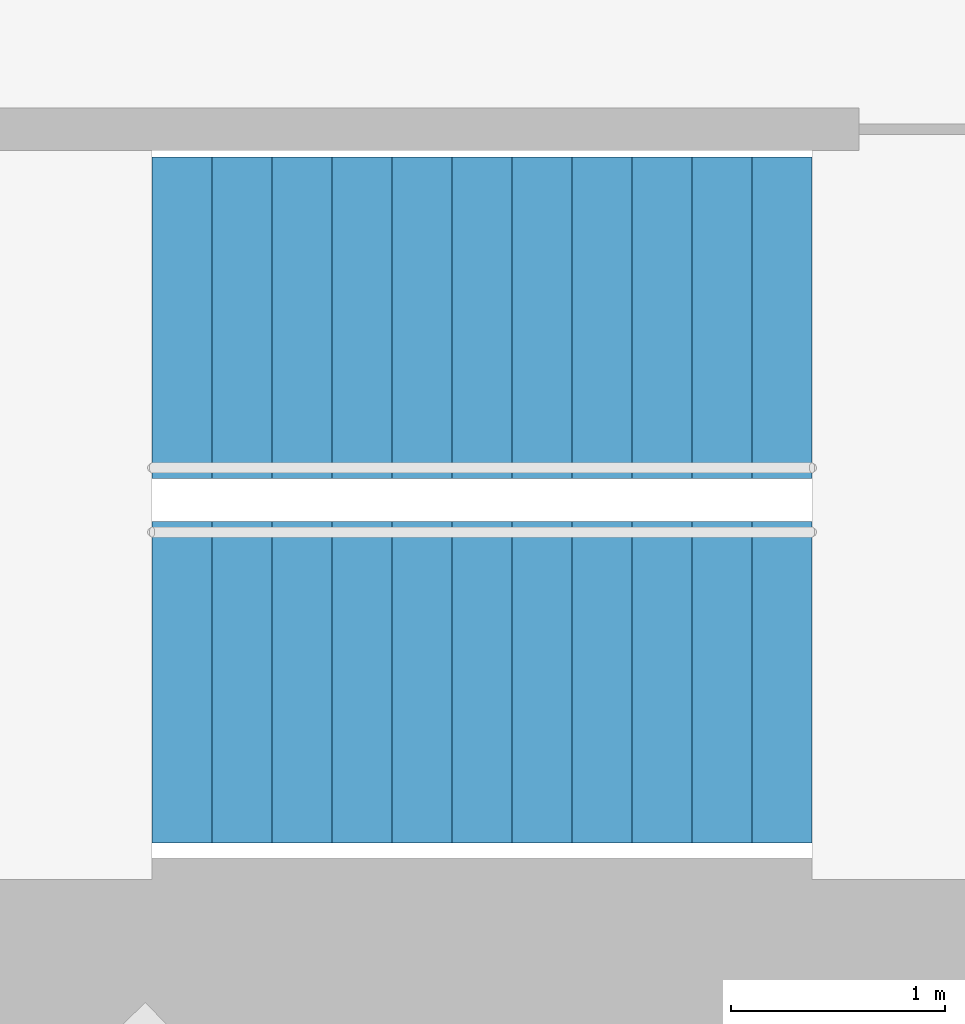
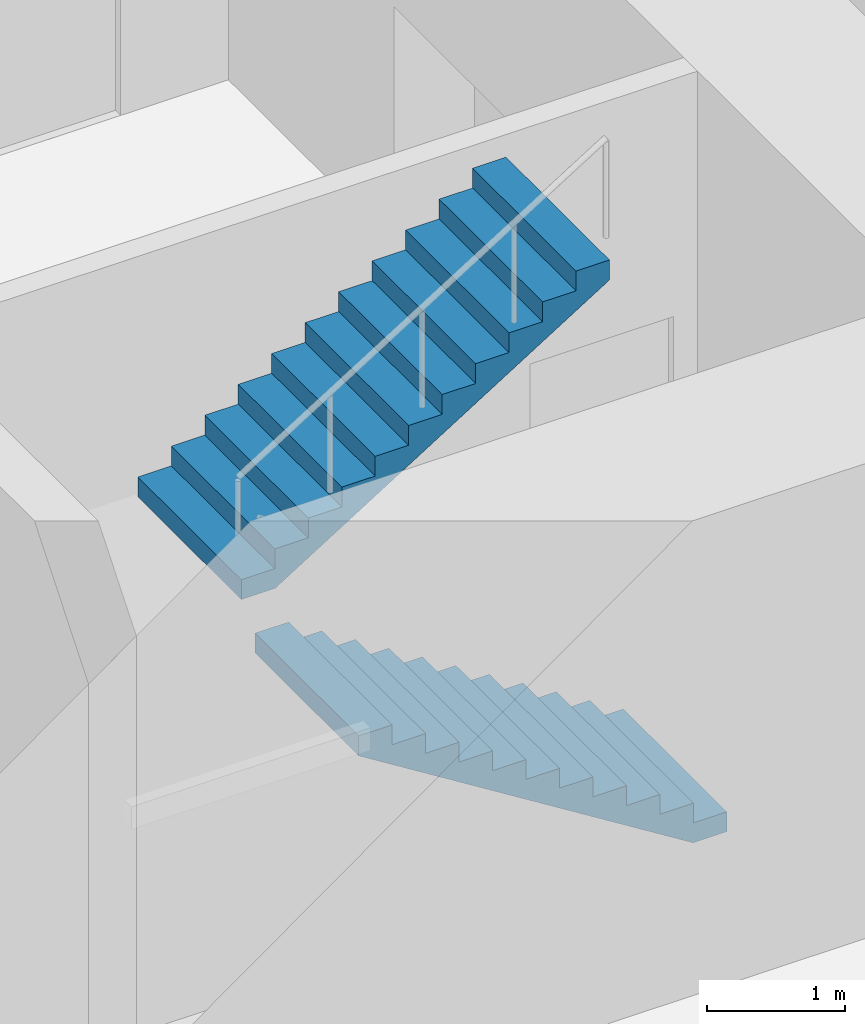
# One storey, part 16 of 17: 2 stair flights, 1 element without a shape of its own.
"""IFC4 building model written with IfcOpenShell, lengths in metres."""

from ifc_helpers import new_model, si_unit, direction, frame, origin, place, context, subcontext, project, spatial, triangles, material, type_object, element, aggregate, save


model = new_model("IFC4")

# Units and contexts
model_context = context("Model", 3, precision=1e-05, world=origin(), true_north=direction((0.0, 1.0)))
body_context = subcontext(model_context, "Body", "Model", "MODEL_VIEW")
ifc_project = project(units=[si_unit("LENGTHUNIT", "METRE"), si_unit("AREAUNIT", "SQUARE_METRE"), si_unit("VOLUMEUNIT", "CUBIC_METRE"), si_unit("PLANEANGLEUNIT", "RADIAN"), si_unit("MASSUNIT", "GRAM", prefix="KILO")], contexts=[model_context])

# Site, building, storey
site_placement = place(None, origin())
site = spatial("IfcSite", under=ifc_project, at=site_placement, CompositionType="ELEMENT")
building_placement = place(site_placement, origin())
building = spatial("IfcBuilding", under=site, at=building_placement, Name="Lantaw Convention Tower", CompositionType="ELEMENT")
storey_placement = place(building_placement, frame((0.0, 0.0, 163.60009765625)))
storey = spatial("IfcBuildingStorey", under=building, at=storey_placement, Name="L38", CompositionType="ELEMENT", Elevation=163.60009765625)

# Stair, stair flights
ifc_material = material(Name="Concrete C35/45", Category="concrete")
stair_type = type_object("IfcStairType", Name="Exit stair 1500 riser 175 in 2 flights", PredefinedType="HALF_TURN_STAIR", material=ifc_material)
stair_placement = place(storey_placement, origin())
stair = element("IfcStair", 1, at=stair_placement, inside=storey, type_object=stair_type, Name="Exit stair S2 L38", PredefinedType="HALF_TURN_STAIR")
stair_flight_type = type_object("IfcStairFlightType", Name="Stair flight 1500 riser 175", PredefinedType="STRAIGHT", material=ifc_material)
stair_flight_1_placement = place(storey_placement, frame((10.580078125, -5.97998046875, 0.0), z_axis=(0.0, 0.0, 1.0), x_axis=(-1.0, 0.0, 0.0)))
stair_flight_1 = element("IfcStairFlight", 2, at=stair_flight_1_placement, type_object=stair_flight_type, Name="S2 flight 1", NumberOfRisers=12, NumberOfTreads=11, PredefinedType="STRAIGHT", RiserHeight=0.175, TreadLength=0.28, context=body_context, shape_type="Tessellation", body=[
    triangles([(0.0, 0.75, 0.0), (0.0, 0.75, 0.175), (0.28, 0.75, 0.0), (0.28, 0.75, 0.175), (0.28, 0.75, 0.35), (0.28283517651771284, 0.75, 0.0), (0.28283517651771284, 0.75, 0.35), (0.56, 0.75, 0.17322801467642948), (0.56, 0.75, 0.35), (0.56, 0.75, 0.5249999999999999), (0.8400000000000001, 0.75, 0.34822801467642944), (0.8400000000000001, 0.75, 0.5249999999999999), (0.8400000000000001, 0.75, 0.7), (1.12, 0.75, 0.5232280146764294), (1.12, 0.75, 0.7), (1.12, 0.75, 0.875), (1.4000000000000001, 0.75, 0.6982280146764295), (1.4000000000000001, 0.75, 0.875), (1.4000000000000001, 0.75, 1.0499999999999998), (1.6800000000000002, 0.75, 0.8732280146764294), (1.6800000000000002, 0.75, 1.0499999999999998), (1.6800000000000002, 0.75, 1.2249999999999999), (1.9600000000000002, 0.75, 1.0482280146764293), (1.9600000000000002, 0.75, 1.2249999999999999), (1.9600000000000002, 0.75, 1.4), (2.24, 0.75, 1.2232280146764294), (2.24, 0.75, 1.4), (2.24, 0.75, 1.575), (2.5200000000000005, 0.75, 1.3982280146764294), (2.5200000000000005, 0.75, 1.575), (2.5200000000000005, 0.75, 1.75), (2.8000000000000003, 0.75, 1.5732280146764293), (2.8000000000000003, 0.75, 1.75), (2.8000000000000003, 0.75, 1.9249999999999998), (3.08, 0.75, 1.7482280146764293), (3.08, 0.75, 1.9249999999999998), (0.0, -0.75, 0.0), (0.0, -0.75, 0.175), (0.28, -0.75, 0.0), (0.28, -0.75, 0.175), (0.28, -0.75, 0.35), (0.28283517651771284, -0.75, 0.0), (0.28283517651771284, -0.75, 0.35), (0.56, -0.75, 0.17322801467642948), (0.56, -0.75, 0.35), (0.56, -0.75, 0.5249999999999999), (0.8400000000000001, -0.75, 0.34822801467642944), (0.8400000000000001, -0.75, 0.5249999999999999), (0.8400000000000001, -0.75, 0.7), (1.12, -0.75, 0.5232280146764294), (1.12, -0.75, 0.7), (1.12, -0.75, 0.875), (1.4000000000000001, -0.75, 0.6982280146764295), (1.4000000000000001, -0.75, 0.875), (1.4000000000000001, -0.75, 1.0499999999999998), (1.6800000000000002, -0.75, 0.8732280146764294), (1.6800000000000002, -0.75, 1.0499999999999998), (1.6800000000000002, -0.75, 1.2249999999999999), (1.9600000000000002, -0.75, 1.0482280146764293), (1.9600000000000002, -0.75, 1.2249999999999999), (1.9600000000000002, -0.75, 1.4), (2.24, -0.75, 1.2232280146764294), (2.24, -0.75, 1.4), (2.24, -0.75, 1.575), (2.5200000000000005, -0.75, 1.3982280146764294), (2.5200000000000005, -0.75, 1.575), (2.5200000000000005, -0.75, 1.75), (2.8000000000000003, -0.75, 1.5732280146764293), (2.8000000000000003, -0.75, 1.75), (2.8000000000000003, -0.75, 1.9249999999999998), (3.08, -0.75, 1.7482280146764293), (3.08, -0.75, 1.9249999999999998), (0.0, 0.15000000000000002, 0.175), (0.0, 0.15000000000000002, 0.0), (0.0, 0.0, 0.175), (0.0, 0.0, 0.0), (0.0, -0.15000000000000002, 0.175), (0.0, -0.15000000000000002, 0.0), (0.28, 0.15000000000000002, 0.35), (0.28, 0.15000000000000002, 0.175), (0.28, 0.0, 0.35), (0.28, 0.0, 0.175), (0.28, -0.15000000000000002, 0.35), (0.28, -0.15000000000000002, 0.175), (0.56, 0.15000000000000002, 0.5249999999999999), (0.56, 0.15000000000000002, 0.35), (0.56, 0.0, 0.5249999999999999), (0.56, 0.0, 0.35), (0.56, -0.15000000000000002, 0.5249999999999999), (0.56, -0.15000000000000002, 0.35), (0.8400000000000001, 0.15000000000000002, 0.7), (0.8400000000000001, 0.15000000000000002, 0.5249999999999999), (0.8400000000000001, 0.0, 0.7), (0.8400000000000001, 0.0, 0.5249999999999999), (0.8400000000000001, -0.15000000000000002, 0.7), (0.8400000000000001, -0.15000000000000002, 0.5249999999999999), (1.12, 0.15000000000000002, 0.875), (1.12, 0.15000000000000002, 0.7), (1.12, 0.0, 0.875), (1.12, 0.0, 0.7), (1.12, -0.15000000000000002, 0.875), (1.12, -0.15000000000000002, 0.7), (1.4000000000000001, 0.15000000000000002, 1.0499999999999998), (1.4000000000000001, 0.15000000000000002, 0.875), (1.4000000000000001, 0.0, 1.0499999999999998), (1.4000000000000001, 0.0, 0.875), (1.4000000000000001, -0.15000000000000002, 1.0499999999999998), (1.4000000000000001, -0.15000000000000002, 0.875), (1.6800000000000002, 0.15000000000000002, 1.2249999999999999), (1.6800000000000002, 0.15000000000000002, 1.0499999999999998), (1.6800000000000002, 0.0, 1.2249999999999999), (1.6800000000000002, 0.0, 1.0499999999999998), (1.6800000000000002, -0.15000000000000002, 1.2249999999999999), (1.6800000000000002, -0.15000000000000002, 1.0499999999999998), (1.9600000000000002, 0.15000000000000002, 1.4), (1.9600000000000002, 0.15000000000000002, 1.2249999999999999), (1.9600000000000002, 0.0, 1.4), (1.9600000000000002, 0.0, 1.2249999999999999), (1.9600000000000002, -0.15000000000000002, 1.4), (1.9600000000000002, -0.15000000000000002, 1.2249999999999999), (2.24, 0.15000000000000002, 1.575), (2.24, 0.15000000000000002, 1.4), (2.24, 0.0, 1.575), (2.24, 0.0, 1.4), (2.24, -0.15000000000000002, 1.575), (2.24, -0.15000000000000002, 1.4), (2.5200000000000005, 0.15000000000000002, 1.75), (2.5200000000000005, 0.15000000000000002, 1.575), (2.5200000000000005, 0.0, 1.75), (2.5200000000000005, 0.0, 1.575), (2.5200000000000005, -0.15000000000000002, 1.75), (2.5200000000000005, -0.15000000000000002, 1.575), (2.8000000000000003, 0.15000000000000002, 1.9249999999999998), (2.8000000000000003, 0.15000000000000002, 1.75), (2.8000000000000003, 0.0, 1.9249999999999998), (2.8000000000000003, 0.0, 1.75), (2.8000000000000003, -0.15000000000000002, 1.9249999999999998), (2.8000000000000003, -0.15000000000000002, 1.75), (0.28283517651771284, 0.15000000000000002, 0.35), (0.28283517651771284, 0.0, 0.35), (0.28283517651771284, -0.15000000000000002, 0.35), (3.08, 0.15000000000000002, 1.9249999999999998), (3.08, 0.0, 1.9249999999999998), (3.08, -0.15000000000000002, 1.9249999999999998), (3.08, 0.15000000000000002, 1.7482280146764293), (3.08, 0.0, 1.7482280146764293), (3.08, -0.15000000000000002, 1.7482280146764293), (2.8000000000000003, 0.15000000000000002, 1.5732280146764293), (2.8000000000000003, 0.0, 1.5732280146764293), (2.8000000000000003, -0.15000000000000002, 1.5732280146764293), (2.5200000000000005, 0.15000000000000002, 1.3982280146764294), (2.5200000000000005, 0.0, 1.3982280146764294), (2.5200000000000005, -0.15000000000000002, 1.3982280146764294), (2.24, 0.15000000000000002, 1.2232280146764294), (2.24, 0.0, 1.2232280146764294), (2.24, -0.15000000000000002, 1.2232280146764294), (1.9600000000000002, 0.15000000000000002, 1.0482280146764293), (1.9600000000000002, 0.0, 1.0482280146764293), (1.9600000000000002, -0.15000000000000002, 1.0482280146764293), (1.6800000000000002, 0.15000000000000002, 0.8732280146764294), (1.6800000000000002, 0.0, 0.8732280146764294), (1.6800000000000002, -0.15000000000000002, 0.8732280146764294), (1.4000000000000001, 0.15000000000000002, 0.6982280146764295), (1.4000000000000001, 0.0, 0.6982280146764295), (1.4000000000000001, -0.15000000000000002, 0.6982280146764295), (1.12, 0.15000000000000002, 0.5232280146764294), (1.12, 0.0, 0.5232280146764294), (1.12, -0.15000000000000002, 0.5232280146764294), (0.8400000000000001, 0.15000000000000002, 0.34822801467642944), (0.8400000000000001, 0.0, 0.34822801467642944), (0.8400000000000001, -0.15000000000000002, 0.34822801467642944), (0.56, 0.15000000000000002, 0.17322801467642948), (0.56, 0.0, 0.17322801467642948), (0.56, -0.15000000000000002, 0.17322801467642948), (0.28283517651771284, 0.15000000000000002, 0.0), (0.28283517651771284, 0.0, 0.0), (0.28283517651771284, -0.15000000000000002, 0.0), (0.28, 0.15000000000000002, 0.0), (0.28, 0.0, 0.0), (0.28, -0.15000000000000002, 0.0)], [[1, 4, 3], [1, 2, 4], [3, 4, 6], [4, 7, 6], [4, 5, 7], [6, 9, 8], [6, 7, 9], [8, 9, 11], [9, 12, 11], [9, 10, 12], [11, 12, 14], [12, 15, 14], [12, 13, 15], [14, 15, 17], [15, 18, 17], [15, 16, 18], [17, 18, 20], [18, 21, 20], [18, 19, 21], [20, 21, 23], [21, 24, 23], [21, 22, 24], [23, 24, 26], [24, 27, 26], [24, 25, 27], [26, 27, 29], [27, 30, 29], [27, 28, 30], [29, 30, 32], [30, 33, 32], [30, 31, 33], [32, 33, 35], [33, 36, 35], [33, 34, 36], [37, 39, 40], [37, 40, 38], [39, 42, 40], [40, 42, 43], [40, 43, 41], [42, 44, 45], [42, 45, 43], [44, 47, 45], [45, 47, 48], [45, 48, 46], [47, 50, 48], [48, 50, 51], [48, 51, 49], [50, 53, 51], [51, 53, 54], [51, 54, 52], [53, 56, 54], [54, 56, 57], [54, 57, 55], [56, 59, 57], [57, 59, 60], [57, 60, 58], [59, 62, 60], [60, 62, 63], [60, 63, 61], [62, 65, 63], [63, 65, 66], [63, 66, 64], [65, 68, 66], [66, 68, 69], [66, 69, 67], [68, 71, 69], [69, 71, 72], [69, 72, 70], [1, 73, 2], [1, 74, 73], [74, 75, 73], [74, 76, 75], [76, 77, 75], [76, 78, 77], [78, 38, 77], [78, 37, 38], [4, 79, 5], [4, 80, 79], [80, 81, 79], [80, 82, 81], [82, 83, 81], [82, 84, 83], [84, 41, 83], [84, 40, 41], [9, 85, 10], [9, 86, 85], [86, 87, 85], [86, 88, 87], [88, 89, 87], [88, 90, 89], [90, 46, 89], [90, 45, 46], [12, 91, 13], [12, 92, 91], [92, 93, 91], [92, 94, 93], [94, 95, 93], [94, 96, 95], [96, 49, 95], [96, 48, 49], [15, 97, 16], [15, 98, 97], [98, 99, 97], [98, 100, 99], [100, 101, 99], [100, 102, 101], [102, 52, 101], [102, 51, 52], [18, 103, 19], [18, 104, 103], [104, 105, 103], [104, 106, 105], [106, 107, 105], [106, 108, 107], [108, 55, 107], [108, 54, 55], [21, 109, 22], [21, 110, 109], [110, 111, 109], [110, 112, 111], [112, 113, 111], [112, 114, 113], [114, 58, 113], [114, 57, 58], [24, 115, 25], [24, 116, 115], [116, 117, 115], [116, 118, 117], [118, 119, 117], [118, 120, 119], [120, 61, 119], [120, 60, 61], [27, 121, 28], [27, 122, 121], [122, 123, 121], [122, 124, 123], [124, 125, 123], [124, 126, 125], [126, 64, 125], [126, 63, 64], [30, 127, 31], [30, 128, 127], [128, 129, 127], [128, 130, 129], [130, 131, 129], [130, 132, 131], [132, 67, 131], [132, 66, 67], [33, 133, 34], [33, 134, 133], [134, 135, 133], [134, 136, 135], [136, 137, 135], [136, 138, 137], [138, 70, 137], [138, 69, 70], [2, 80, 4], [2, 73, 80], [73, 82, 80], [73, 75, 82], [75, 84, 82], [75, 77, 84], [77, 40, 84], [77, 38, 40], [5, 139, 7], [5, 79, 139], [79, 140, 139], [79, 81, 140], [81, 141, 140], [81, 83, 141], [83, 43, 141], [83, 41, 43], [7, 86, 9], [7, 139, 86], [139, 88, 86], [139, 140, 88], [140, 90, 88], [140, 141, 90], [141, 45, 90], [141, 43, 45], [10, 92, 12], [10, 85, 92], [85, 94, 92], [85, 87, 94], [87, 96, 94], [87, 89, 96], [89, 48, 96], [89, 46, 48], [13, 98, 15], [13, 91, 98], [91, 100, 98], [91, 93, 100], [93, 102, 100], [93, 95, 102], [95, 51, 102], [95, 49, 51], [16, 104, 18], [16, 97, 104], [97, 106, 104], [97, 99, 106], [99, 108, 106], [99, 101, 108], [101, 54, 108], [101, 52, 54], [19, 110, 21], [19, 103, 110], [103, 112, 110], [103, 105, 112], [105, 114, 112], [105, 107, 114], [107, 57, 114], [107, 55, 57], [22, 116, 24], [22, 109, 116], [109, 118, 116], [109, 111, 118], [111, 120, 118], [111, 113, 120], [113, 60, 120], [113, 58, 60], [25, 122, 27], [25, 115, 122], [115, 124, 122], [115, 117, 124], [117, 126, 124], [117, 119, 126], [119, 63, 126], [119, 61, 63], [28, 128, 30], [28, 121, 128], [121, 130, 128], [121, 123, 130], [123, 132, 130], [123, 125, 132], [125, 66, 132], [125, 64, 66], [31, 134, 33], [31, 127, 134], [127, 136, 134], [127, 129, 136], [129, 138, 136], [129, 131, 138], [131, 69, 138], [131, 67, 69], [34, 142, 36], [34, 133, 142], [133, 143, 142], [133, 135, 143], [135, 144, 143], [135, 137, 144], [137, 72, 144], [137, 70, 72], [36, 145, 35], [36, 142, 145], [142, 146, 145], [142, 143, 146], [143, 147, 146], [143, 144, 147], [144, 71, 147], [144, 72, 71], [35, 148, 32], [35, 145, 148], [145, 149, 148], [145, 146, 149], [146, 150, 149], [146, 147, 150], [147, 68, 150], [147, 71, 68], [32, 151, 29], [32, 148, 151], [148, 152, 151], [148, 149, 152], [149, 153, 152], [149, 150, 153], [150, 65, 153], [150, 68, 65], [29, 154, 26], [29, 151, 154], [151, 155, 154], [151, 152, 155], [152, 156, 155], [152, 153, 156], [153, 62, 156], [153, 65, 62], [26, 157, 23], [26, 154, 157], [154, 158, 157], [154, 155, 158], [155, 159, 158], [155, 156, 159], [156, 59, 159], [156, 62, 59], [23, 160, 20], [23, 157, 160], [157, 161, 160], [157, 158, 161], [158, 162, 161], [158, 159, 162], [159, 56, 162], [159, 59, 56], [20, 163, 17], [20, 160, 163], [160, 164, 163], [160, 161, 164], [161, 165, 164], [161, 162, 165], [162, 53, 165], [162, 56, 53], [17, 166, 14], [17, 163, 166], [163, 167, 166], [163, 164, 167], [164, 168, 167], [164, 165, 168], [165, 50, 168], [165, 53, 50], [14, 169, 11], [14, 166, 169], [166, 170, 169], [166, 167, 170], [167, 171, 170], [167, 168, 171], [168, 47, 171], [168, 50, 47], [11, 172, 8], [11, 169, 172], [169, 173, 172], [169, 170, 173], [170, 174, 173], [170, 171, 174], [171, 44, 174], [171, 47, 44], [8, 175, 6], [8, 172, 175], [172, 176, 175], [172, 173, 176], [173, 177, 176], [173, 174, 177], [174, 42, 177], [174, 44, 42], [6, 178, 3], [6, 175, 178], [175, 179, 178], [175, 176, 179], [176, 180, 179], [176, 177, 180], [177, 39, 180], [177, 42, 39], [3, 74, 1], [3, 178, 74], [178, 76, 74], [178, 179, 76], [179, 78, 76], [179, 180, 78], [180, 37, 78], [180, 39, 37]], closed=True),
])
stair_flight_2_placement = place(storey_placement, frame((7.5, -4.280029296875, 2.099853515625), z_axis=(0.0, 0.0, 1.0), x_axis=(1.0, 0.0, 0.0)))
stair_flight_2 = element("IfcStairFlight", 3, at=stair_flight_2_placement, type_object=stair_flight_type, Name="S2 flight 2", NumberOfRisers=12, NumberOfTreads=11, PredefinedType="STRAIGHT", RiserHeight=0.175, TreadLength=0.28, context=body_context, shape_type="Tessellation", body=[
    triangles([(0.0, 0.75, 0.0), (0.0, 0.75, 0.175), (0.28, 0.75, 0.0), (0.28, 0.75, 0.175), (0.28, 0.75, 0.35), (0.28283517651771284, 0.75, 0.0), (0.28283517651771284, 0.75, 0.35), (0.56, 0.75, 0.17322801467642948), (0.56, 0.75, 0.35), (0.56, 0.75, 0.5249999999999999), (0.8400000000000001, 0.75, 0.34822801467642944), (0.8400000000000001, 0.75, 0.5249999999999999), (0.8400000000000001, 0.75, 0.7), (1.12, 0.75, 0.5232280146764294), (1.12, 0.75, 0.7), (1.12, 0.75, 0.875), (1.4000000000000001, 0.75, 0.6982280146764295), (1.4000000000000001, 0.75, 0.875), (1.4000000000000001, 0.75, 1.0499999999999998), (1.6800000000000002, 0.75, 0.8732280146764294), (1.6800000000000002, 0.75, 1.0499999999999998), (1.6800000000000002, 0.75, 1.2249999999999999), (1.9600000000000002, 0.75, 1.0482280146764293), (1.9600000000000002, 0.75, 1.2249999999999999), (1.9600000000000002, 0.75, 1.4), (2.24, 0.75, 1.2232280146764294), (2.24, 0.75, 1.4), (2.24, 0.75, 1.575), (2.5200000000000005, 0.75, 1.3982280146764294), (2.5200000000000005, 0.75, 1.575), (2.5200000000000005, 0.75, 1.75), (2.8000000000000003, 0.75, 1.5732280146764293), (2.8000000000000003, 0.75, 1.75), (2.8000000000000003, 0.75, 1.9249999999999998), (3.08, 0.75, 1.7482280146764293), (3.08, 0.75, 1.9249999999999998), (0.0, -0.75, 0.0), (0.0, -0.75, 0.175), (0.28, -0.75, 0.0), (0.28, -0.75, 0.175), (0.28, -0.75, 0.35), (0.28283517651771284, -0.75, 0.0), (0.28283517651771284, -0.75, 0.35), (0.56, -0.75, 0.17322801467642948), (0.56, -0.75, 0.35), (0.56, -0.75, 0.5249999999999999), (0.8400000000000001, -0.75, 0.34822801467642944), (0.8400000000000001, -0.75, 0.5249999999999999), (0.8400000000000001, -0.75, 0.7), (1.12, -0.75, 0.5232280146764294), (1.12, -0.75, 0.7), (1.12, -0.75, 0.875), (1.4000000000000001, -0.75, 0.6982280146764295), (1.4000000000000001, -0.75, 0.875), (1.4000000000000001, -0.75, 1.0499999999999998), (1.6800000000000002, -0.75, 0.8732280146764294), (1.6800000000000002, -0.75, 1.0499999999999998), (1.6800000000000002, -0.75, 1.2249999999999999), (1.9600000000000002, -0.75, 1.0482280146764293), (1.9600000000000002, -0.75, 1.2249999999999999), (1.9600000000000002, -0.75, 1.4), (2.24, -0.75, 1.2232280146764294), (2.24, -0.75, 1.4), (2.24, -0.75, 1.575), (2.5200000000000005, -0.75, 1.3982280146764294), (2.5200000000000005, -0.75, 1.575), (2.5200000000000005, -0.75, 1.75), (2.8000000000000003, -0.75, 1.5732280146764293), (2.8000000000000003, -0.75, 1.75), (2.8000000000000003, -0.75, 1.9249999999999998), (3.08, -0.75, 1.7482280146764293), (3.08, -0.75, 1.9249999999999998), (0.0, 0.15000000000000002, 0.175), (0.0, 0.15000000000000002, 0.0), (0.0, 0.0, 0.175), (0.0, 0.0, 0.0), (0.0, -0.15000000000000002, 0.175), (0.0, -0.15000000000000002, 0.0), (0.28, 0.15000000000000002, 0.35), (0.28, 0.15000000000000002, 0.175), (0.28, 0.0, 0.35), (0.28, 0.0, 0.175), (0.28, -0.15000000000000002, 0.35), (0.28, -0.15000000000000002, 0.175), (0.56, 0.15000000000000002, 0.5249999999999999), (0.56, 0.15000000000000002, 0.35), (0.56, 0.0, 0.5249999999999999), (0.56, 0.0, 0.35), (0.56, -0.15000000000000002, 0.5249999999999999), (0.56, -0.15000000000000002, 0.35), (0.8400000000000001, 0.15000000000000002, 0.7), (0.8400000000000001, 0.15000000000000002, 0.5249999999999999), (0.8400000000000001, 0.0, 0.7), (0.8400000000000001, 0.0, 0.5249999999999999), (0.8400000000000001, -0.15000000000000002, 0.7), (0.8400000000000001, -0.15000000000000002, 0.5249999999999999), (1.12, 0.15000000000000002, 0.875), (1.12, 0.15000000000000002, 0.7), (1.12, 0.0, 0.875), (1.12, 0.0, 0.7), (1.12, -0.15000000000000002, 0.875), (1.12, -0.15000000000000002, 0.7), (1.4000000000000001, 0.15000000000000002, 1.0499999999999998), (1.4000000000000001, 0.15000000000000002, 0.875), (1.4000000000000001, 0.0, 1.0499999999999998), (1.4000000000000001, 0.0, 0.875), (1.4000000000000001, -0.15000000000000002, 1.0499999999999998), (1.4000000000000001, -0.15000000000000002, 0.875), (1.6800000000000002, 0.15000000000000002, 1.2249999999999999), (1.6800000000000002, 0.15000000000000002, 1.0499999999999998), (1.6800000000000002, 0.0, 1.2249999999999999), (1.6800000000000002, 0.0, 1.0499999999999998), (1.6800000000000002, -0.15000000000000002, 1.2249999999999999), (1.6800000000000002, -0.15000000000000002, 1.0499999999999998), (1.9600000000000002, 0.15000000000000002, 1.4), (1.9600000000000002, 0.15000000000000002, 1.2249999999999999), (1.9600000000000002, 0.0, 1.4), (1.9600000000000002, 0.0, 1.2249999999999999), (1.9600000000000002, -0.15000000000000002, 1.4), (1.9600000000000002, -0.15000000000000002, 1.2249999999999999), (2.24, 0.15000000000000002, 1.575), (2.24, 0.15000000000000002, 1.4), (2.24, 0.0, 1.575), (2.24, 0.0, 1.4), (2.24, -0.15000000000000002, 1.575), (2.24, -0.15000000000000002, 1.4), (2.5200000000000005, 0.15000000000000002, 1.75), (2.5200000000000005, 0.15000000000000002, 1.575), (2.5200000000000005, 0.0, 1.75), (2.5200000000000005, 0.0, 1.575), (2.5200000000000005, -0.15000000000000002, 1.75), (2.5200000000000005, -0.15000000000000002, 1.575), (2.8000000000000003, 0.15000000000000002, 1.9249999999999998), (2.8000000000000003, 0.15000000000000002, 1.75), (2.8000000000000003, 0.0, 1.9249999999999998), (2.8000000000000003, 0.0, 1.75), (2.8000000000000003, -0.15000000000000002, 1.9249999999999998), (2.8000000000000003, -0.15000000000000002, 1.75), (0.28283517651771284, 0.15000000000000002, 0.35), (0.28283517651771284, 0.0, 0.35), (0.28283517651771284, -0.15000000000000002, 0.35), (3.08, 0.15000000000000002, 1.9249999999999998), (3.08, 0.0, 1.9249999999999998), (3.08, -0.15000000000000002, 1.9249999999999998), (3.08, 0.15000000000000002, 1.7482280146764293), (3.08, 0.0, 1.7482280146764293), (3.08, -0.15000000000000002, 1.7482280146764293), (2.8000000000000003, 0.15000000000000002, 1.5732280146764293), (2.8000000000000003, 0.0, 1.5732280146764293), (2.8000000000000003, -0.15000000000000002, 1.5732280146764293), (2.5200000000000005, 0.15000000000000002, 1.3982280146764294), (2.5200000000000005, 0.0, 1.3982280146764294), (2.5200000000000005, -0.15000000000000002, 1.3982280146764294), (2.24, 0.15000000000000002, 1.2232280146764294), (2.24, 0.0, 1.2232280146764294), (2.24, -0.15000000000000002, 1.2232280146764294), (1.9600000000000002, 0.15000000000000002, 1.0482280146764293), (1.9600000000000002, 0.0, 1.0482280146764293), (1.9600000000000002, -0.15000000000000002, 1.0482280146764293), (1.6800000000000002, 0.15000000000000002, 0.8732280146764294), (1.6800000000000002, 0.0, 0.8732280146764294), (1.6800000000000002, -0.15000000000000002, 0.8732280146764294), (1.4000000000000001, 0.15000000000000002, 0.6982280146764295), (1.4000000000000001, 0.0, 0.6982280146764295), (1.4000000000000001, -0.15000000000000002, 0.6982280146764295), (1.12, 0.15000000000000002, 0.5232280146764294), (1.12, 0.0, 0.5232280146764294), (1.12, -0.15000000000000002, 0.5232280146764294), (0.8400000000000001, 0.15000000000000002, 0.34822801467642944), (0.8400000000000001, 0.0, 0.34822801467642944), (0.8400000000000001, -0.15000000000000002, 0.34822801467642944), (0.56, 0.15000000000000002, 0.17322801467642948), (0.56, 0.0, 0.17322801467642948), (0.56, -0.15000000000000002, 0.17322801467642948), (0.28283517651771284, 0.15000000000000002, 0.0), (0.28283517651771284, 0.0, 0.0), (0.28283517651771284, -0.15000000000000002, 0.0), (0.28, 0.15000000000000002, 0.0), (0.28, 0.0, 0.0), (0.28, -0.15000000000000002, 0.0)], [[1, 4, 3], [1, 2, 4], [3, 4, 6], [4, 7, 6], [4, 5, 7], [6, 9, 8], [6, 7, 9], [8, 9, 11], [9, 12, 11], [9, 10, 12], [11, 12, 14], [12, 15, 14], [12, 13, 15], [14, 15, 17], [15, 18, 17], [15, 16, 18], [17, 18, 20], [18, 21, 20], [18, 19, 21], [20, 21, 23], [21, 24, 23], [21, 22, 24], [23, 24, 26], [24, 27, 26], [24, 25, 27], [26, 27, 29], [27, 30, 29], [27, 28, 30], [29, 30, 32], [30, 33, 32], [30, 31, 33], [32, 33, 35], [33, 36, 35], [33, 34, 36], [37, 39, 40], [37, 40, 38], [39, 42, 40], [40, 42, 43], [40, 43, 41], [42, 44, 45], [42, 45, 43], [44, 47, 45], [45, 47, 48], [45, 48, 46], [47, 50, 48], [48, 50, 51], [48, 51, 49], [50, 53, 51], [51, 53, 54], [51, 54, 52], [53, 56, 54], [54, 56, 57], [54, 57, 55], [56, 59, 57], [57, 59, 60], [57, 60, 58], [59, 62, 60], [60, 62, 63], [60, 63, 61], [62, 65, 63], [63, 65, 66], [63, 66, 64], [65, 68, 66], [66, 68, 69], [66, 69, 67], [68, 71, 69], [69, 71, 72], [69, 72, 70], [1, 73, 2], [1, 74, 73], [74, 75, 73], [74, 76, 75], [76, 77, 75], [76, 78, 77], [78, 38, 77], [78, 37, 38], [4, 79, 5], [4, 80, 79], [80, 81, 79], [80, 82, 81], [82, 83, 81], [82, 84, 83], [84, 41, 83], [84, 40, 41], [9, 85, 10], [9, 86, 85], [86, 87, 85], [86, 88, 87], [88, 89, 87], [88, 90, 89], [90, 46, 89], [90, 45, 46], [12, 91, 13], [12, 92, 91], [92, 93, 91], [92, 94, 93], [94, 95, 93], [94, 96, 95], [96, 49, 95], [96, 48, 49], [15, 97, 16], [15, 98, 97], [98, 99, 97], [98, 100, 99], [100, 101, 99], [100, 102, 101], [102, 52, 101], [102, 51, 52], [18, 103, 19], [18, 104, 103], [104, 105, 103], [104, 106, 105], [106, 107, 105], [106, 108, 107], [108, 55, 107], [108, 54, 55], [21, 109, 22], [21, 110, 109], [110, 111, 109], [110, 112, 111], [112, 113, 111], [112, 114, 113], [114, 58, 113], [114, 57, 58], [24, 115, 25], [24, 116, 115], [116, 117, 115], [116, 118, 117], [118, 119, 117], [118, 120, 119], [120, 61, 119], [120, 60, 61], [27, 121, 28], [27, 122, 121], [122, 123, 121], [122, 124, 123], [124, 125, 123], [124, 126, 125], [126, 64, 125], [126, 63, 64], [30, 127, 31], [30, 128, 127], [128, 129, 127], [128, 130, 129], [130, 131, 129], [130, 132, 131], [132, 67, 131], [132, 66, 67], [33, 133, 34], [33, 134, 133], [134, 135, 133], [134, 136, 135], [136, 137, 135], [136, 138, 137], [138, 70, 137], [138, 69, 70], [2, 80, 4], [2, 73, 80], [73, 82, 80], [73, 75, 82], [75, 84, 82], [75, 77, 84], [77, 40, 84], [77, 38, 40], [5, 139, 7], [5, 79, 139], [79, 140, 139], [79, 81, 140], [81, 141, 140], [81, 83, 141], [83, 43, 141], [83, 41, 43], [7, 86, 9], [7, 139, 86], [139, 88, 86], [139, 140, 88], [140, 90, 88], [140, 141, 90], [141, 45, 90], [141, 43, 45], [10, 92, 12], [10, 85, 92], [85, 94, 92], [85, 87, 94], [87, 96, 94], [87, 89, 96], [89, 48, 96], [89, 46, 48], [13, 98, 15], [13, 91, 98], [91, 100, 98], [91, 93, 100], [93, 102, 100], [93, 95, 102], [95, 51, 102], [95, 49, 51], [16, 104, 18], [16, 97, 104], [97, 106, 104], [97, 99, 106], [99, 108, 106], [99, 101, 108], [101, 54, 108], [101, 52, 54], [19, 110, 21], [19, 103, 110], [103, 112, 110], [103, 105, 112], [105, 114, 112], [105, 107, 114], [107, 57, 114], [107, 55, 57], [22, 116, 24], [22, 109, 116], [109, 118, 116], [109, 111, 118], [111, 120, 118], [111, 113, 120], [113, 60, 120], [113, 58, 60], [25, 122, 27], [25, 115, 122], [115, 124, 122], [115, 117, 124], [117, 126, 124], [117, 119, 126], [119, 63, 126], [119, 61, 63], [28, 128, 30], [28, 121, 128], [121, 130, 128], [121, 123, 130], [123, 132, 130], [123, 125, 132], [125, 66, 132], [125, 64, 66], [31, 134, 33], [31, 127, 134], [127, 136, 134], [127, 129, 136], [129, 138, 136], [129, 131, 138], [131, 69, 138], [131, 67, 69], [34, 142, 36], [34, 133, 142], [133, 143, 142], [133, 135, 143], [135, 144, 143], [135, 137, 144], [137, 72, 144], [137, 70, 72], [36, 145, 35], [36, 142, 145], [142, 146, 145], [142, 143, 146], [143, 147, 146], [143, 144, 147], [144, 71, 147], [144, 72, 71], [35, 148, 32], [35, 145, 148], [145, 149, 148], [145, 146, 149], [146, 150, 149], [146, 147, 150], [147, 68, 150], [147, 71, 68], [32, 151, 29], [32, 148, 151], [148, 152, 151], [148, 149, 152], [149, 153, 152], [149, 150, 153], [150, 65, 153], [150, 68, 65], [29, 154, 26], [29, 151, 154], [151, 155, 154], [151, 152, 155], [152, 156, 155], [152, 153, 156], [153, 62, 156], [153, 65, 62], [26, 157, 23], [26, 154, 157], [154, 158, 157], [154, 155, 158], [155, 159, 158], [155, 156, 159], [156, 59, 159], [156, 62, 59], [23, 160, 20], [23, 157, 160], [157, 161, 160], [157, 158, 161], [158, 162, 161], [158, 159, 162], [159, 56, 162], [159, 59, 56], [20, 163, 17], [20, 160, 163], [160, 164, 163], [160, 161, 164], [161, 165, 164], [161, 162, 165], [162, 53, 165], [162, 56, 53], [17, 166, 14], [17, 163, 166], [163, 167, 166], [163, 164, 167], [164, 168, 167], [164, 165, 168], [165, 50, 168], [165, 53, 50], [14, 169, 11], [14, 166, 169], [166, 170, 169], [166, 167, 170], [167, 171, 170], [167, 168, 171], [168, 47, 171], [168, 50, 47], [11, 172, 8], [11, 169, 172], [169, 173, 172], [169, 170, 173], [170, 174, 173], [170, 171, 174], [171, 44, 174], [171, 47, 44], [8, 175, 6], [8, 172, 175], [172, 176, 175], [172, 173, 176], [173, 177, 176], [173, 174, 177], [174, 42, 177], [174, 44, 42], [6, 178, 3], [6, 175, 178], [175, 179, 178], [175, 176, 179], [176, 180, 179], [176, 177, 180], [177, 39, 180], [177, 42, 39], [3, 74, 1], [3, 178, 74], [178, 76, 74], [178, 179, 76], [179, 78, 76], [179, 180, 78], [180, 37, 78], [180, 39, 37]], closed=True),
])
aggregate(stair, [stair_flight_1, stair_flight_2])

save(model, "model.ifc")
